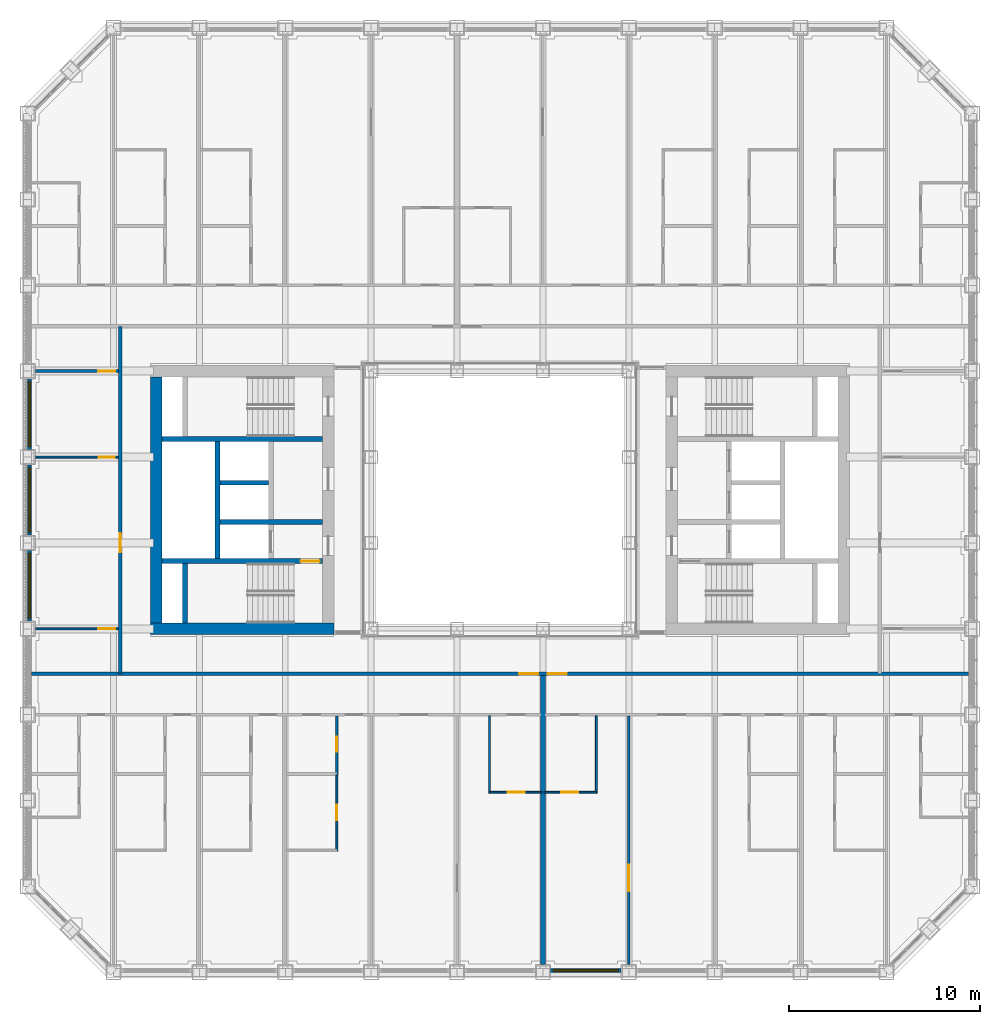
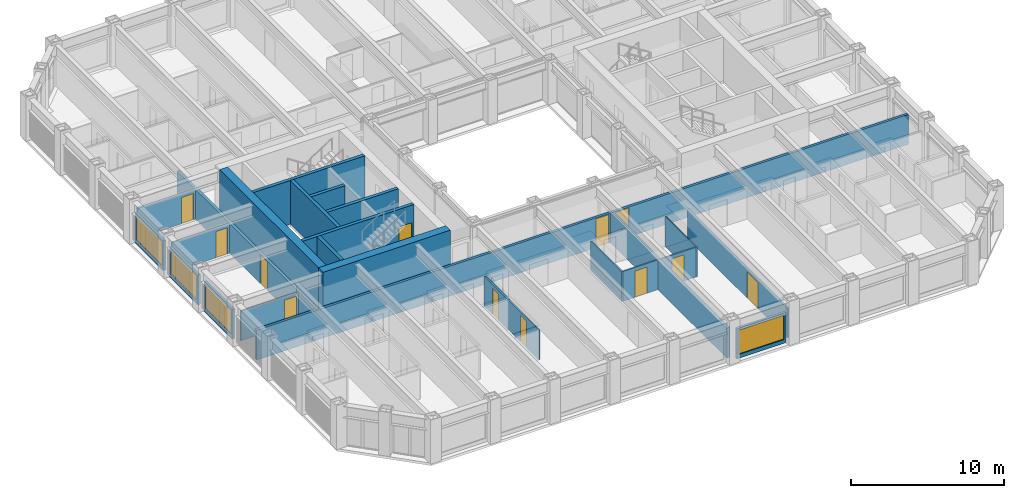
# One storey, part 10 of 21: 25 walls, 12 doors, 4 windows, 16 openings.
"""IFC4 building model written with IfcOpenShell, lengths in metres."""

from ifc_helpers import new_model, si_unit, direction, frame, frame_2d, origin, place, context, subcontext, project, spatial, rectangle, extrude, material, layer, layer_set, type_object, element, fill, save


model = new_model("IFC4")

# Units and contexts
model_context = context("Model", 3, precision=1e-05, world=origin(), true_north=direction((0.0, 1.0)))
body_context = subcontext(model_context, "Body", "Model", "MODEL_VIEW")
ifc_project = project(units=[si_unit("LENGTHUNIT", "METRE"), si_unit("AREAUNIT", "SQUARE_METRE"), si_unit("VOLUMEUNIT", "CUBIC_METRE"), si_unit("PLANEANGLEUNIT", "RADIAN"), si_unit("MASSUNIT", "GRAM", prefix="KILO")], contexts=[model_context])

# Site, building, storey
site_placement = place(None, origin())
site = spatial("IfcSite", under=ifc_project, at=site_placement, CompositionType="ELEMENT")
building_placement = place(site_placement, origin())
building = spatial("IfcBuilding", under=site, at=building_placement, Name="Msasa Ring Tower", CompositionType="ELEMENT")
storey_placement = place(building_placement, frame((0.0, 0.0, 79.0)))
storey = spatial("IfcBuildingStorey", under=building, at=storey_placement, Name="L20", CompositionType="ELEMENT", Elevation=79.0)

# Walls
ifc_material_1 = material(Name="Concrete C60/75", Category="concrete")
ifc_layer_1 = layer(ifc_material_1, 0.60009765625)
ifc_layer_set_1 = layer_set([ifc_layer_1], Name="CW1 CORE WALL 600")
wall_type_1 = type_object("IfcWallType", Name="CW1 CORE WALL 600", PredefinedType="SHEAR", material=ifc_layer_set_1)
wall_1_placement = place(storey_placement, frame((-8.699951171875, -6.75, 0.0), z_axis=(0.0, 0.0, 1.0), x_axis=(-1.0, 0.0, 0.0)))
element("IfcWall", 1, at=wall_1_placement, inside=storey, type_object=wall_type_1, Name="W core wall S L20", PredefinedType="SHEAR", context=body_context, shape_type="SweptSolid", body=[
    extrude(rectangle(XDim=9.60009765625, YDim=0.60009765625, at=frame_2d((4.800048828125, 0.0))), origin(), (0.0, 0.0, 1.0), 3.5),
])
wall_2_placement = place(storey_placement, frame((-18.0, -6.449951171875, 0.0), z_axis=(0.0, 0.0, 1.0), x_axis=(0.0, 1.0, 0.0)))
element("IfcWall", 2, at=wall_2_placement, inside=storey, type_object=wall_type_1, Name="W core wall E L20", PredefinedType="SHEAR", context=body_context, shape_type="SweptSolid", body=[
    extrude(rectangle(XDim=12.89990234375, YDim=0.60009765625, at=frame_2d((6.449951171875, 0.0))), origin(), (0.0, 0.0, 1.0), 3.5),
])

# Wall, opening, door
ifc_material_2 = material(Name="Concrete C60/75", Category="concrete")
ifc_layer_2 = layer(ifc_material_2, 0.25)
ifc_layer_set_2 = layer_set([ifc_layer_2], Name="CW4 CORE INNER WALL 250")
wall_type_2 = type_object("IfcWallType", Name="CW4 CORE INNER WALL 250", PredefinedType="SHEAR", material=ifc_layer_set_2)
wall_3_placement = place(storey_placement, frame((-9.300048828125, -3.199951171875, 0.0), z_axis=(0.0, 0.0, 1.0), x_axis=(-1.0, 0.0, 0.0)))
wall_3 = element("IfcWall", 3, at=wall_3_placement, inside=storey, type_object=wall_type_2, Name="W core wall STAIRA L20", PredefinedType="SHEAR", context=body_context, shape_type="SweptSolid", body=[
    extrude(rectangle(XDim=8.39990234375, YDim=0.25, at=frame_2d((4.199951171875, 0.0))), origin(), (0.0, 0.0, 1.0), 3.5),
])
opening_1_placement = place(wall_3_placement, frame((0.14990234375, 0.0, 0.0)))
opening_1 = element("IfcOpeningElement", 4, at=opening_1_placement, cuts=wall_3, Name="Opening RF-048", PredefinedType="OPENING", context=body_context, shape_type="SweptSolid", body=[
    extrude(rectangle(XDim=1.0, YDim=2.10009765625, at=frame_2d((0.5, 1.050048828125))), frame((0.0, 0.135009765625, 0.0), z_axis=(0.0, -1.0, 0.0), x_axis=(1.0, 0.0, 0.0)), (0.0, 0.0, 1.0), 0.27001953125),
])
ifc_material_3 = material(Name="Timber door leaf in a steel frame", Category="steel")
door_type_1 = type_object("IfcDoorType", Name="D6 STAIR DOOR 1000x2100", OperationType="SINGLE_SWING_LEFT", PredefinedType="DOOR", material=ifc_material_3)
door_1_placement = place(opening_1_placement, origin())
door_1 = element("IfcDoor", 5, at=door_1_placement, inside=storey, type_object=door_type_1, Name="Door L20-WSTA", OperationType="SINGLE_SWING_LEFT", OverallHeight=2.10009765625, OverallWidth=1.0, PredefinedType="DOOR", context=body_context, shape_type="SweptSolid", body=[
    extrude(rectangle(XDim=1.0, YDim=2.10009765625, at=frame_2d((0.5, 1.050048828125))), frame((0.0, 0.02490234375, 0.0), z_axis=(0.0, -1.0, 0.0), x_axis=(1.0, 0.0, 0.0)), (0.0, 0.0, 1.0), 0.050048828125),
])
fill(opening_1, door_1)

# Walls
wall_4_placement = place(storey_placement, frame((-9.300048828125, 3.199951171875, 0.0), z_axis=(0.0, 0.0, 1.0), x_axis=(-1.0, 0.0, 0.0)))
element("IfcWall", 6, at=wall_4_placement, inside=storey, type_object=wall_type_2, Name="W core wall STAIRB L20", PredefinedType="SHEAR", context=body_context, shape_type="SweptSolid", body=[
    extrude(rectangle(XDim=8.39990234375, YDim=0.25, at=frame_2d((4.199951171875, 0.0))), origin(), (0.0, 0.0, 1.0), 3.5),
])
wall_5_placement = place(storey_placement, frame((-16.5, -6.449951171875, 0.0), z_axis=(0.0, 0.0, 1.0), x_axis=(0.0, 1.0, 0.0)))
element("IfcWall", 7, at=wall_5_placement, inside=storey, type_object=wall_type_2, Name="W core wall RISERA L20", PredefinedType="SHEAR", context=body_context, shape_type="SweptSolid", body=[
    extrude(rectangle(XDim=3.125, YDim=0.25, at=frame_2d((1.5625, 0.0))), origin(), (0.0, 0.0, 1.0), 3.5),
])
wall_6_placement = place(storey_placement, frame((-9.300048828125, -1.14990234375, 0.0), z_axis=(0.0, 0.0, 1.0), x_axis=(-1.0, 0.0, 0.0)))
element("IfcWall", 8, at=wall_6_placement, inside=storey, type_object=wall_type_2, Name="W core wall FFL L20", PredefinedType="SHEAR", context=body_context, shape_type="SweptSolid", body=[
    extrude(rectangle(XDim=5.375, YDim=0.25, at=frame_2d((2.6875, 0.0))), origin(), (0.0, 0.0, 1.0), 3.5),
])
wall_7_placement = place(storey_placement, frame((-14.800048828125, -3.074951171875, 0.0), z_axis=(0.0, 0.0, 1.0), x_axis=(0.0, 1.0, 0.0)))
element("IfcWall", 9, at=wall_7_placement, inside=storey, type_object=wall_type_2, Name="W core wall SHAFT L20", PredefinedType="SHEAR", context=body_context, shape_type="SweptSolid", body=[
    extrude(rectangle(XDim=6.14990234375, YDim=0.25, at=frame_2d((3.074951171875, 0.0))), origin(), (0.0, 0.0, 1.0), 3.5),
])
wall_8_placement = place(storey_placement, frame((-12.125, 0.89990234375, 0.0), z_axis=(0.0, 0.0, 1.0), x_axis=(-1.0, 0.0, 0.0)))
element("IfcWall", 10, at=wall_8_placement, inside=storey, type_object=wall_type_2, Name="W core wall LIFT1 L20", PredefinedType="SHEAR", context=body_context, shape_type="SweptSolid", body=[
    extrude(rectangle(XDim=2.550048828125, YDim=0.25, at=frame_2d((1.27490234375, 0.0))), origin(), (0.0, 0.0, 1.0), 3.5),
])

# Wall, opening, window
ifc_material_4 = material(Name="Terracotta rainscreen on blockwork", Category="masonry")
ifc_layer_3 = layer(ifc_material_4, 0.199951171875)
ifc_layer_set_3 = layer_set([ifc_layer_3], Name="FW1 TERRACOTTA-LINED INFILL BAY WALL 200")
wall_type_3 = type_object("IfcWallType", Name="FW1 TERRACOTTA-LINED INFILL BAY WALL 200", PredefinedType="SOLIDWALL", material=ifc_layer_set_3)
wall_9_placement = place(storey_placement, frame((2.655029296875, -24.64990234375, 0.0), z_axis=(0.0, 0.0, 1.0), x_axis=(1.0, 0.0, 0.0)))
wall_9 = element("IfcWall", 11, at=wall_9_placement, inside=storey, type_object=wall_type_3, Name="Infill bay wall S L20 05", PredefinedType="SOLIDWALL", context=body_context, shape_type="SweptSolid", body=[
    extrude(rectangle(XDim=3.68994140625, YDim=0.199951171875, at=frame_2d((1.844970703125, 0.0))), origin(), (0.0, 0.0, 1.0), 2.37890625),
])
opening_2_placement = place(wall_9_placement, frame((0.14501953125, 0.0, 0.300048828125)))
opening_2 = element("IfcOpeningElement", 12, at=opening_2_placement, cuts=wall_9, Name="Opening WN1", PredefinedType="OPENING", context=body_context, shape_type="SweptSolid", body=[
    extrude(rectangle(XDim=3.39990234375, YDim=1.928955078125, at=frame_2d((1.699951171875, 0.96435546875))), frame((0.0, 0.10986328125, 0.0), z_axis=(0.0, -1.0, 0.0), x_axis=(1.0, 0.0, 0.0)), (0.0, 0.0, 1.0), 0.219970703125),
])
ifc_material_5 = material(Name="Aluminium frame with clear glass", Category="aluminium")
window_type = type_object("IfcWindowType", Name="WN1 RESIDENCE WINDOW 3400x1929", PartitioningType="SINGLE_PANEL", PredefinedType="WINDOW", material=ifc_material_5)
window_1_placement = place(opening_2_placement, origin())
window_1 = element("IfcWindow", 13, at=window_1_placement, inside=storey, type_object=window_type, Name="Window S L20 05", OverallHeight=1.928955078125, OverallWidth=3.39990234375, PartitioningType="SINGLE_PANEL", PredefinedType="WINDOW", context=body_context, shape_type="SweptSolid", body=[
    extrude(rectangle(XDim=3.39990234375, YDim=1.928955078125, at=frame_2d((1.699951171875, 0.96435546875))), frame((0.0, 0.030029296875, 0.0), z_axis=(0.0, -1.0, 0.0), x_axis=(1.0, 0.0, 0.0)), (0.0, 0.0, 1.0), 0.06005859375),
])
fill(opening_2, window_1)

wall_10_placement = place(storey_placement, frame((-24.64990234375, -6.344970703125, 0.0), z_axis=(0.0, 0.0, 1.0), x_axis=(0.0, 1.0, 0.0)))
wall_10 = element("IfcWall", 14, at=wall_10_placement, inside=storey, type_object=wall_type_3, Name="Infill bay wall W L20 36", PredefinedType="SOLIDWALL", context=body_context, shape_type="SweptSolid", body=[
    extrude(rectangle(XDim=3.68994140625, YDim=0.199951171875, at=frame_2d((1.844970703125, 0.0))), origin(), (0.0, 0.0, 1.0), 2.37890625),
])
opening_3_placement = place(wall_10_placement, frame((0.14501953125, 0.0, 0.300048828125)))
opening_3 = element("IfcOpeningElement", 15, at=opening_3_placement, cuts=wall_10, Name="Opening WN1", PredefinedType="OPENING", context=body_context, shape_type="SweptSolid", body=[
    extrude(rectangle(XDim=3.39990234375, YDim=1.928955078125, at=frame_2d((1.699951171875, 0.96435546875))), frame((0.0, 0.10986328125, 0.0), z_axis=(0.0, -1.0, 0.0), x_axis=(1.0, 0.0, 0.0)), (0.0, 0.0, 1.0), 0.219970703125),
])
window_2_placement = place(opening_3_placement, origin())
window_2 = element("IfcWindow", 16, at=window_2_placement, inside=storey, type_object=window_type, Name="Window W L20 36", OverallHeight=1.928955078125, OverallWidth=3.39990234375, PartitioningType="SINGLE_PANEL", PredefinedType="WINDOW", context=body_context, shape_type="SweptSolid", body=[
    extrude(rectangle(XDim=3.39990234375, YDim=1.928955078125, at=frame_2d((1.699951171875, 0.96435546875))), frame((0.0, 0.030029296875, 0.0), z_axis=(0.0, -1.0, 0.0), x_axis=(1.0, 0.0, 0.0)), (0.0, 0.0, 1.0), 0.06005859375),
])
fill(opening_3, window_2)

wall_11_placement = place(storey_placement, frame((-24.64990234375, -1.844970703125, 0.0), z_axis=(0.0, 0.0, 1.0), x_axis=(0.0, 1.0, 0.0)))
wall_11 = element("IfcWall", 17, at=wall_11_placement, inside=storey, type_object=wall_type_3, Name="Infill bay wall W L20 37", PredefinedType="SOLIDWALL", context=body_context, shape_type="SweptSolid", body=[
    extrude(rectangle(XDim=3.68994140625, YDim=0.199951171875, at=frame_2d((1.844970703125, 0.0))), origin(), (0.0, 0.0, 1.0), 2.37890625),
])
opening_4_placement = place(wall_11_placement, frame((0.14501953125, 0.0, 0.300048828125)))
opening_4 = element("IfcOpeningElement", 18, at=opening_4_placement, cuts=wall_11, Name="Opening WN1", PredefinedType="OPENING", context=body_context, shape_type="SweptSolid", body=[
    extrude(rectangle(XDim=3.39990234375, YDim=1.928955078125, at=frame_2d((1.699951171875, 0.96435546875))), frame((0.0, 0.10986328125, 0.0), z_axis=(0.0, -1.0, 0.0), x_axis=(1.0, 0.0, 0.0)), (0.0, 0.0, 1.0), 0.219970703125),
])
window_3_placement = place(opening_4_placement, origin())
window_3 = element("IfcWindow", 19, at=window_3_placement, inside=storey, type_object=window_type, Name="Window W L20 37", OverallHeight=1.928955078125, OverallWidth=3.39990234375, PartitioningType="SINGLE_PANEL", PredefinedType="WINDOW", context=body_context, shape_type="SweptSolid", body=[
    extrude(rectangle(XDim=3.39990234375, YDim=1.928955078125, at=frame_2d((1.699951171875, 0.96435546875))), frame((0.0, 0.030029296875, 0.0), z_axis=(0.0, -1.0, 0.0), x_axis=(1.0, 0.0, 0.0)), (0.0, 0.0, 1.0), 0.06005859375),
])
fill(opening_4, window_3)

wall_12_placement = place(storey_placement, frame((-24.64990234375, 2.655029296875, 0.0), z_axis=(0.0, 0.0, 1.0), x_axis=(0.0, 1.0, 0.0)))
wall_12 = element("IfcWall", 20, at=wall_12_placement, inside=storey, type_object=wall_type_3, Name="Infill bay wall W L20 38", PredefinedType="SOLIDWALL", context=body_context, shape_type="SweptSolid", body=[
    extrude(rectangle(XDim=3.68994140625, YDim=0.199951171875, at=frame_2d((1.844970703125, 0.0))), origin(), (0.0, 0.0, 1.0), 2.37890625),
])
opening_5_placement = place(wall_12_placement, frame((0.14501953125, 0.0, 0.300048828125)))
opening_5 = element("IfcOpeningElement", 21, at=opening_5_placement, cuts=wall_12, Name="Opening WN1", PredefinedType="OPENING", context=body_context, shape_type="SweptSolid", body=[
    extrude(rectangle(XDim=3.39990234375, YDim=1.928955078125, at=frame_2d((1.699951171875, 0.96435546875))), frame((0.0, 0.10986328125, 0.0), z_axis=(0.0, -1.0, 0.0), x_axis=(1.0, 0.0, 0.0)), (0.0, 0.0, 1.0), 0.219970703125),
])
window_4_placement = place(opening_5_placement, origin())
window_4 = element("IfcWindow", 22, at=window_4_placement, inside=storey, type_object=window_type, Name="Window W L20 38", OverallHeight=1.928955078125, OverallWidth=3.39990234375, PartitioningType="SINGLE_PANEL", PredefinedType="WINDOW", context=body_context, shape_type="SweptSolid", body=[
    extrude(rectangle(XDim=3.39990234375, YDim=1.928955078125, at=frame_2d((1.699951171875, 0.96435546875))), frame((0.0, 0.030029296875, 0.0), z_axis=(0.0, -1.0, 0.0), x_axis=(1.0, 0.0, 0.0)), (0.0, 0.0, 1.0), 0.06005859375),
])
fill(opening_5, window_4)

# Wall, openings, doors
ifc_material_6 = material(Name="Concrete blockwork", Category="masonry")
ifc_layer_4 = layer(ifc_material_6, 0.199951171875)
ifc_layer_set_4 = layer_set([ifc_layer_4], Name="PT1 CORRIDOR WALL 200")
wall_type_4 = type_object("IfcWallType", Name="PT1 CORRIDOR WALL 200", PredefinedType="PARTITIONING", material=ifc_layer_set_4)
wall_13_placement = place(storey_placement, frame((-24.550048828125, -9.10009765625, 0.0), z_axis=(0.0, 0.0, 1.0), x_axis=(1.0, 0.0, 0.0)))
wall_13 = element("IfcWall", 23, at=wall_13_placement, inside=storey, type_object=wall_type_4, Name="Corridor wall L20-CORRS0", PredefinedType="PARTITIONING", context=body_context, shape_type="SweptSolid", body=[
    extrude(rectangle(XDim=49.10009765625, YDim=0.199951171875, at=frame_2d((24.550048828125, 0.0))), origin(), (0.0, 0.0, 1.0), 2.373291015625),
])
opening_6_placement = place(wall_13_placement, frame((25.550048828125, 0.0, 0.0)))
opening_6 = element("IfcOpeningElement", 24, at=opening_6_placement, cuts=wall_13, Name="Opening RF-054", PredefinedType="OPENING", context=body_context, shape_type="SweptSolid", body=[
    extrude(rectangle(XDim=1.0, YDim=2.300048828125, at=frame_2d((0.5, 1.14990234375))), frame((0.0, 0.10986328125, 0.0), z_axis=(0.0, -1.0, 0.0), x_axis=(1.0, 0.0, 0.0)), (0.0, 0.0, 1.0), 0.219970703125),
])
opening_7_placement = place(wall_13_placement, frame((27.050048828125, 0.0, 0.0)))
opening_7 = element("IfcOpeningElement", 25, at=opening_7_placement, cuts=wall_13, Name="Opening RF-055", PredefinedType="OPENING", context=body_context, shape_type="SweptSolid", body=[
    extrude(rectangle(XDim=1.0, YDim=2.300048828125, at=frame_2d((0.5, 1.14990234375))), frame((0.0, 0.10986328125, 0.0), z_axis=(0.0, -1.0, 0.0), x_axis=(1.0, 0.0, 0.0)), (0.0, 0.0, 1.0), 0.219970703125),
])
ifc_material_7 = material(Name="Timber door leaf in a steel frame", Category="steel")
door_type_2 = type_object("IfcDoorType", Name="D16 UPPER RESIDENCE ENTRANCE DOOR 1000x2300", OperationType="SINGLE_SWING_LEFT", PredefinedType="DOOR", material=ifc_material_7)
door_2_placement = place(opening_6_placement, origin())
door_2 = element("IfcDoor", 26, at=door_2_placement, inside=storey, type_object=door_type_2, Name="Door L20-VSW", OperationType="SINGLE_SWING_RIGHT", OverallHeight=2.300048828125, OverallWidth=1.0, PredefinedType="DOOR", context=body_context, shape_type="SweptSolid", body=[
    extrude(rectangle(XDim=1.0, YDim=2.300048828125, at=frame_2d((0.5, 1.14990234375))), frame((0.0, 0.02490234375, 0.0), z_axis=(0.0, -1.0, 0.0), x_axis=(1.0, 0.0, 0.0)), (0.0, 0.0, 1.0), 0.050048828125),
])
fill(opening_6, door_2)
door_3_placement = place(opening_7_placement, origin())
door_3 = element("IfcDoor", 27, at=door_3_placement, inside=storey, type_object=door_type_2, Name="Door L20-VSE", OperationType="SINGLE_SWING_RIGHT", OverallHeight=2.300048828125, OverallWidth=1.0, PredefinedType="DOOR", context=body_context, shape_type="SweptSolid", body=[
    extrude(rectangle(XDim=1.0, YDim=2.300048828125, at=frame_2d((0.5, 1.14990234375))), frame((0.0, 0.02490234375, 0.0), z_axis=(0.0, -1.0, 0.0), x_axis=(1.0, 0.0, 0.0)), (0.0, 0.0, 1.0), 0.050048828125),
])
fill(opening_7, door_3)

# Wall, opening, door
wall_14_placement = place(storey_placement, frame((-19.89990234375, -9.10009765625, 0.0), z_axis=(0.0, 0.0, 1.0), x_axis=(0.0, 1.0, 0.0)))
wall_14 = element("IfcWall", 28, at=wall_14_placement, inside=storey, type_object=wall_type_4, Name="Corridor wall L20-STRW", PredefinedType="PARTITIONING", context=body_context, shape_type="SweptSolid", body=[
    extrude(rectangle(XDim=18.2001953125, YDim=0.199951171875, at=frame_2d((9.10009765625, 0.0))), origin(), (0.0, 0.0, 1.0), 2.373291015625),
])
opening_8_placement = place(wall_14_placement, frame((6.35009765625, 0.0, 0.0)))
opening_8 = element("IfcOpeningElement", 29, at=opening_8_placement, cuts=wall_14, Name="Opening RF-044", PredefinedType="OPENING", context=body_context, shape_type="SweptSolid", body=[
    extrude(rectangle(XDim=1.0, YDim=2.300048828125, at=frame_2d((0.5, 1.14990234375))), frame((0.0, 0.10986328125, 0.0), z_axis=(0.0, -1.0, 0.0), x_axis=(1.0, 0.0, 0.0)), (0.0, 0.0, 1.0), 0.219970703125),
])
door_4_placement = place(opening_8_placement, origin())
door_4 = element("IfcDoor", 30, at=door_4_placement, inside=storey, type_object=door_type_2, Name="Door L20-STW", OperationType="SINGLE_SWING_LEFT", OverallHeight=2.300048828125, OverallWidth=1.0, PredefinedType="DOOR", context=body_context, shape_type="SweptSolid", body=[
    extrude(rectangle(XDim=1.0, YDim=2.300048828125, at=frame_2d((0.5, 1.14990234375))), frame((0.0, 0.02490234375, 0.0), z_axis=(0.0, -1.0, 0.0), x_axis=(1.0, 0.0, 0.0)), (0.0, 0.0, 1.0), 0.050048828125),
])
fill(opening_8, door_4)

# Wall
ifc_material_8 = material(Name="Gypsum board on steel studs", Category="steel")
ifc_layer_5 = layer(ifc_material_8, 0.10009765625)
ifc_layer_set_5 = layer_set([ifc_layer_5], Name="PT2 STUD PARTITION 100")
wall_type_5 = type_object("IfcWallType", Name="PT2 STUD PARTITION 100", PredefinedType="PARTITIONING", material=ifc_layer_set_5)
wall_15_placement = place(storey_placement, frame((-0.550048828125, -15.362548828125, 0.0), z_axis=(0.0, 0.0, 1.0), x_axis=(0.0, 1.0, 0.0)))
element("IfcWall", 31, at=wall_15_placement, inside=storey, type_object=wall_type_5, Name="Partition L20-VSWKX", PredefinedType="PARTITIONING", context=body_context, shape_type="SweptSolid", body=[
    extrude(rectangle(XDim=4.050048828125, YDim=0.10009765625, at=frame_2d((2.02490234375, 0.0))), origin(), (0.0, 0.0, 1.0), 2.373291015625),
])

# Wall, opening, door
wall_16_placement = place(storey_placement, frame((-0.550048828125, -15.3125, 0.0), z_axis=(0.0, 0.0, 1.0), x_axis=(1.0, 0.0, 0.0)))
wall_16 = element("IfcWall", 32, at=wall_16_placement, inside=storey, type_object=wall_type_5, Name="Partition L20-VSWKY", PredefinedType="PARTITIONING", context=body_context, shape_type="SweptSolid", body=[
    extrude(rectangle(XDim=2.732666015625, YDim=0.10009765625, at=frame_2d((1.3662109375, 0.0))), origin(), (0.0, 0.0, 1.0), 2.373291015625),
])
opening_9_placement = place(wall_16_placement, frame((0.949951171875, 0.0, 0.0)))
opening_9 = element("IfcOpeningElement", 33, at=opening_9_placement, cuts=wall_16, Name="Opening RF-076", PredefinedType="OPENING", context=body_context, shape_type="SweptSolid", body=[
    extrude(rectangle(XDim=0.89990234375, YDim=2.10009765625, at=frame_2d((0.449951171875, 1.050048828125))), frame((0.0, 0.06005859375, 0.0), z_axis=(0.0, -1.0, 0.0), x_axis=(1.0, 0.0, 0.0)), (0.0, 0.0, 1.0), 0.1201171875),
])
ifc_material_9 = material(Name="Timber door leaf in a steel frame", Category="steel")
door_type_3 = type_object("IfcDoorType", Name="D22 INTERNAL HALL DOOR 900x2100", OperationType="SINGLE_SWING_LEFT", PredefinedType="DOOR", material=ifc_material_9)
door_5_placement = place(opening_9_placement, origin())
door_5 = element("IfcDoor", 34, at=door_5_placement, inside=storey, type_object=door_type_3, Name="Door L20-VSWKD", OperationType="SINGLE_SWING_RIGHT", OverallHeight=2.10009765625, OverallWidth=0.89990234375, PredefinedType="DOOR", context=body_context, shape_type="SweptSolid", body=[
    extrude(rectangle(XDim=0.89990234375, YDim=2.10009765625, at=frame_2d((0.449951171875, 1.050048828125))), frame((0.0, 0.02490234375, 0.0), z_axis=(0.0, -1.0, 0.0), x_axis=(1.0, 0.0, 0.0)), (0.0, 0.0, 1.0), 0.050048828125),
])
fill(opening_9, door_5)

wall_17_placement = place(storey_placement, frame((-8.550048828125, -18.403076171875, 0.0), z_axis=(0.0, 0.0, 1.0), x_axis=(0.0, 1.0, 0.0)))
wall_17 = element("IfcWall", 35, at=wall_17_placement, inside=storey, type_object=wall_type_5, Name="Partition L20-VSWWX1", PredefinedType="PARTITIONING", context=body_context, shape_type="SweptSolid", body=[
    extrude(rectangle(XDim=4.003173828125, YDim=0.10009765625, at=frame_2d((2.00146484375, 0.0))), origin(), (0.0, 0.0, 1.0), 2.373291015625),
])
opening_10_placement = place(wall_17_placement, frame((1.626708984375, 0.0, 0.0)))
opening_10 = element("IfcOpeningElement", 36, at=opening_10_placement, cuts=wall_17, Name="Opening RF-082", PredefinedType="OPENING", context=body_context, shape_type="SweptSolid", body=[
    extrude(rectangle(XDim=0.800048828125, YDim=2.10009765625, at=frame_2d((0.39990234375, 1.050048828125))), frame((0.0, 0.06005859375, 0.0), z_axis=(0.0, -1.0, 0.0), x_axis=(1.0, 0.0, 0.0)), (0.0, 0.0, 1.0), 0.1201171875),
])
ifc_material_10 = material(Name="Timber door leaf in a steel frame", Category="steel")
door_type_4 = type_object("IfcDoorType", Name="D60 DRESSING ROOM DOOR 800x2100", OperationType="SINGLE_SWING_LEFT", PredefinedType="DOOR", material=ifc_material_10)
door_6_placement = place(opening_10_placement, origin())
door_6 = element("IfcDoor", 37, at=door_6_placement, inside=storey, type_object=door_type_4, Name="Door L20-VSWW1", OperationType="SINGLE_SWING_LEFT", OverallHeight=2.10009765625, OverallWidth=0.800048828125, PredefinedType="DOOR", context=body_context, shape_type="SweptSolid", body=[
    extrude(rectangle(XDim=0.800048828125, YDim=2.10009765625, at=frame_2d((0.39990234375, 1.050048828125))), frame((0.0, 0.02490234375, 0.0), z_axis=(0.0, -1.0, 0.0), x_axis=(1.0, 0.0, 0.0)), (0.0, 0.0, 1.0), 0.050048828125),
])
fill(opening_10, door_6)

# Wall
wall_18_placement = place(storey_placement, frame((5.050048828125, -15.362548828125, 0.0), z_axis=(0.0, 0.0, 1.0), x_axis=(0.0, 1.0, 0.0)))
element("IfcWall", 38, at=wall_18_placement, inside=storey, type_object=wall_type_5, Name="Partition L20-VSEKX", PredefinedType="PARTITIONING", context=body_context, shape_type="SweptSolid", body=[
    extrude(rectangle(XDim=4.050048828125, YDim=0.10009765625, at=frame_2d((2.02490234375, 0.0))), origin(), (0.0, 0.0, 1.0), 2.373291015625),
])

# Wall, opening, door
wall_19_placement = place(storey_placement, frame((2.3173828125, -15.3125, 0.0), z_axis=(0.0, 0.0, 1.0), x_axis=(1.0, 0.0, 0.0)))
wall_19 = element("IfcWall", 39, at=wall_19_placement, inside=storey, type_object=wall_type_5, Name="Partition L20-VSEKY", PredefinedType="PARTITIONING", context=body_context, shape_type="SweptSolid", body=[
    extrude(rectangle(XDim=2.732666015625, YDim=0.10009765625, at=frame_2d((1.3662109375, 0.0))), origin(), (0.0, 0.0, 1.0), 2.373291015625),
])
opening_11_placement = place(wall_19_placement, frame((0.882568359375, 0.0, 0.0)))
opening_11 = element("IfcOpeningElement", 40, at=opening_11_placement, cuts=wall_19, Name="Opening RF-077", PredefinedType="OPENING", context=body_context, shape_type="SweptSolid", body=[
    extrude(rectangle(XDim=0.89990234375, YDim=2.10009765625, at=frame_2d((0.449951171875, 1.050048828125))), frame((0.0, 0.06005859375, 0.0), z_axis=(0.0, -1.0, 0.0), x_axis=(1.0, 0.0, 0.0)), (0.0, 0.0, 1.0), 0.1201171875),
])
door_7_placement = place(opening_11_placement, origin())
door_7 = element("IfcDoor", 41, at=door_7_placement, inside=storey, type_object=door_type_3, Name="Door L20-VSEKD", OperationType="SINGLE_SWING_LEFT", OverallHeight=2.10009765625, OverallWidth=0.89990234375, PredefinedType="DOOR", context=body_context, shape_type="SweptSolid", body=[
    extrude(rectangle(XDim=0.89990234375, YDim=2.10009765625, at=frame_2d((0.449951171875, 1.050048828125))), frame((0.0, 0.02490234375, 0.0), z_axis=(0.0, -1.0, 0.0), x_axis=(1.0, 0.0, 0.0)), (0.0, 0.0, 1.0), 0.050048828125),
])
fill(opening_11, door_7)

wall_20_placement = place(storey_placement, frame((-24.35009765625, -6.75, 0.0), z_axis=(0.0, 0.0, 1.0), x_axis=(1.0, 0.0, 0.0)))
wall_20 = element("IfcWall", 42, at=wall_20_placement, inside=storey, type_object=wall_type_5, Name="Partition L20-STWKY", PredefinedType="PARTITIONING", context=body_context, shape_type="SweptSolid", body=[
    extrude(rectangle(XDim=4.35009765625, YDim=0.10009765625, at=frame_2d((2.175048828125, 0.0))), origin(), (0.0, 0.0, 1.0), 2.373291015625),
])
opening_12_placement = place(wall_20_placement, frame((3.300048828125, 0.0, 0.0)))
opening_12 = element("IfcOpeningElement", 43, at=opening_12_placement, cuts=wall_20, Name="Opening RF-050", PredefinedType="OPENING", context=body_context, shape_type="SweptSolid", body=[
    extrude(rectangle(XDim=0.89990234375, YDim=2.10009765625, at=frame_2d((0.449951171875, 1.050048828125))), frame((0.0, 0.06005859375, 0.0), z_axis=(0.0, -1.0, 0.0), x_axis=(1.0, 0.0, 0.0)), (0.0, 0.0, 1.0), 0.1201171875),
])
door_8_placement = place(opening_12_placement, origin())
door_8 = element("IfcDoor", 44, at=door_8_placement, inside=storey, type_object=door_type_3, Name="Door L20-STWK", OperationType="SINGLE_SWING_RIGHT", OverallHeight=2.10009765625, OverallWidth=0.89990234375, PredefinedType="DOOR", context=body_context, shape_type="SweptSolid", body=[
    extrude(rectangle(XDim=0.89990234375, YDim=2.10009765625, at=frame_2d((0.449951171875, 1.050048828125))), frame((0.0, 0.02490234375, 0.0), z_axis=(0.0, -1.0, 0.0), x_axis=(1.0, 0.0, 0.0)), (0.0, 0.0, 1.0), 0.050048828125),
])
fill(opening_12, door_8)

wall_21_placement = place(storey_placement, frame((-24.35009765625, 2.25, 0.0), z_axis=(0.0, 0.0, 1.0), x_axis=(1.0, 0.0, 0.0)))
wall_21 = element("IfcWall", 45, at=wall_21_placement, inside=storey, type_object=wall_type_5, Name="Partition L20-STWRY", PredefinedType="PARTITIONING", context=body_context, shape_type="SweptSolid", body=[
    extrude(rectangle(XDim=4.35009765625, YDim=0.10009765625, at=frame_2d((2.175048828125, 0.0))), origin(), (0.0, 0.0, 1.0), 2.373291015625),
])
opening_13_placement = place(wall_21_placement, frame((3.324951171875, 0.0, 0.0)))
opening_13 = element("IfcOpeningElement", 46, at=opening_13_placement, cuts=wall_21, Name="Opening RF-040", PredefinedType="OPENING", context=body_context, shape_type="SweptSolid", body=[
    extrude(rectangle(XDim=0.85009765625, YDim=2.10009765625, at=frame_2d((0.425048828125, 1.050048828125))), frame((0.0, 0.06005859375, 0.0), z_axis=(0.0, -1.0, 0.0), x_axis=(1.0, 0.0, 0.0)), (0.0, 0.0, 1.0), 0.1201171875),
])
ifc_material_11 = material(Name="Timber door leaf in a steel frame", Category="steel")
door_type_5 = type_object("IfcDoorType", Name="D14 BEDROOM DOOR 850x2100", OperationType="SINGLE_SWING_LEFT", PredefinedType="DOOR", material=ifc_material_11)
door_9_placement = place(opening_13_placement, origin())
door_9 = element("IfcDoor", 47, at=door_9_placement, inside=storey, type_object=door_type_5, Name="Door L20-STWR", OperationType="SINGLE_SWING_RIGHT", OverallHeight=2.10009765625, OverallWidth=0.85009765625, PredefinedType="DOOR", context=body_context, shape_type="SweptSolid", body=[
    extrude(rectangle(XDim=0.85009765625, YDim=2.10009765625, at=frame_2d((0.425048828125, 1.050048828125))), frame((0.0, 0.02490234375, 0.0), z_axis=(0.0, -1.0, 0.0), x_axis=(1.0, 0.0, 0.0)), (0.0, 0.0, 1.0), 0.050048828125),
])
fill(opening_13, door_9)

# Wall
ifc_material_12 = material(Name="Dense concrete blockwork, plastered both faces", Category="masonry")
ifc_layer_6 = layer(ifc_material_12, 0.25)
ifc_layer_set_6 = layer_set([ifc_layer_6], Name="PT3 APARTMENT SEPARATING WALL 250")
wall_type_6 = type_object("IfcWallType", Name="PT3 APARTMENT SEPARATING WALL 250", PredefinedType="PARTITIONING", material=ifc_layer_set_6)
wall_22_placement = place(storey_placement, frame((2.25, -24.35009765625, 0.0), z_axis=(0.0, 0.0, 1.0), x_axis=(0.0, 1.0, 0.0)))
element("IfcWall", 48, at=wall_22_placement, inside=storey, type_object=wall_type_6, Name="Party wall L20-PWS+2.25", PredefinedType="PARTITIONING", context=body_context, shape_type="SweptSolid", body=[
    extrude(rectangle(XDim=15.150146484375, YDim=0.25, at=frame_2d((7.5751953125, 0.0))), origin(), (0.0, 0.0, 1.0), 2.373291015625),
])

# Wall, opening, door
ifc_material_13 = material(Name="Moisture-resistant board on steel studs with a concealed cistern and pipe void, tiled", Category="steel")
ifc_layer_7 = layer(ifc_material_13, 0.14990234375)
ifc_layer_set_7 = layer_set([ifc_layer_7], Name="PT4 BATHROOM WET WALL 150")
wall_type_7 = type_object("IfcWallType", Name="PT4 BATHROOM WET WALL 150", PredefinedType="PARTITIONING", material=ifc_layer_set_7)
wall_23_placement = place(storey_placement, frame((-8.550048828125, -14.39990234375, 0.0), z_axis=(0.0, 0.0, 1.0), x_axis=(0.0, 1.0, 0.0)))
wall_23 = element("IfcWall", 49, at=wall_23_placement, inside=storey, type_object=wall_type_7, Name="Partition L20-VSWBX1", PredefinedType="PARTITIONING", context=body_context, shape_type="SweptSolid", body=[
    extrude(rectangle(XDim=3.08740234375, YDim=0.14990234375, at=frame_2d((1.543701171875, 0.0))), origin(), (0.0, 0.0, 1.0), 2.373291015625),
])
opening_14_placement = place(wall_23_placement, frame((1.199951171875, 0.0, 0.0)))
opening_14 = element("IfcOpeningElement", 50, at=opening_14_placement, cuts=wall_23, Name="Opening RF-072", PredefinedType="OPENING", context=body_context, shape_type="SweptSolid", body=[
    extrude(rectangle(XDim=0.800048828125, YDim=2.10009765625, at=frame_2d((0.39990234375, 1.050048828125))), frame((0.0, 0.0849609375, 0.0), z_axis=(0.0, -1.0, 0.0), x_axis=(1.0, 0.0, 0.0)), (0.0, 0.0, 1.0), 0.169921875),
])
ifc_material_14 = material(Name="Timber door leaf in a steel frame", Category="steel")
door_type_6 = type_object("IfcDoorType", Name="D21 POCKET SLIDING BATHROOM DOOR 800x2100", OperationType="SINGLE_SWING_LEFT", PredefinedType="DOOR", material=ifc_material_14)
door_10_placement = place(opening_14_placement, origin())
door_10 = element("IfcDoor", 51, at=door_10_placement, inside=storey, type_object=door_type_6, Name="Door L20-VSWB1", OperationType="SINGLE_SWING_RIGHT", OverallHeight=2.10009765625, OverallWidth=0.800048828125, PredefinedType="DOOR", context=body_context, shape_type="SweptSolid", body=[
    extrude(rectangle(XDim=0.800048828125, YDim=2.10009765625, at=frame_2d((0.39990234375, 1.050048828125))), frame((0.0, 0.02490234375, 0.0), z_axis=(0.0, -1.0, 0.0), x_axis=(1.0, 0.0, 0.0)), (0.0, 0.0, 1.0), 0.050048828125),
])
fill(opening_14, door_10)

wall_24_placement = place(storey_placement, frame((-24.35009765625, 6.75, 0.0), z_axis=(0.0, 0.0, 1.0), x_axis=(1.0, 0.0, 0.0)))
wall_24 = element("IfcWall", 52, at=wall_24_placement, inside=storey, type_object=wall_type_7, Name="Partition L20-STWBY", PredefinedType="PARTITIONING", context=body_context, shape_type="SweptSolid", body=[
    extrude(rectangle(XDim=4.35009765625, YDim=0.14990234375, at=frame_2d((2.175048828125, 0.0))), origin(), (0.0, 0.0, 1.0), 2.373291015625),
])
opening_15_placement = place(wall_24_placement, frame((3.300048828125, 0.0, 0.0)))
opening_15 = element("IfcOpeningElement", 53, at=opening_15_placement, cuts=wall_24, Name="Opening RF-036", PredefinedType="OPENING", context=body_context, shape_type="SweptSolid", body=[
    extrude(rectangle(XDim=0.89990234375, YDim=2.10009765625, at=frame_2d((0.449951171875, 1.050048828125))), frame((0.0, 0.0849609375, 0.0), z_axis=(0.0, -1.0, 0.0), x_axis=(1.0, 0.0, 0.0)), (0.0, 0.0, 1.0), 0.169921875),
])
ifc_material_15 = material(Name="Timber door leaf in a steel frame", Category="steel")
door_type_7 = type_object("IfcDoorType", Name="D3 BATHROOM DOOR 900x2100", OperationType="SINGLE_SWING_LEFT", PredefinedType="DOOR", material=ifc_material_15)
door_11_placement = place(opening_15_placement, origin())
door_11 = element("IfcDoor", 54, at=door_11_placement, inside=storey, type_object=door_type_7, Name="Door L20-STWB", OperationType="SINGLE_SWING_RIGHT", OverallHeight=2.10009765625, OverallWidth=0.89990234375, PredefinedType="DOOR", context=body_context, shape_type="SweptSolid", body=[
    extrude(rectangle(XDim=0.89990234375, YDim=2.10009765625, at=frame_2d((0.449951171875, 1.050048828125))), frame((0.0, 0.02490234375, 0.0), z_axis=(0.0, -1.0, 0.0), x_axis=(1.0, 0.0, 0.0)), (0.0, 0.0, 1.0), 0.050048828125),
])
fill(opening_15, door_11)

ifc_material_16 = material(Name="Two layers of acoustic board each face on steel studs, mineral wool", Category="steel")
ifc_layer_8 = layer(ifc_material_16, 0.125)
ifc_layer_set_8 = layer_set([ifc_layer_8], Name="PT6 ACOUSTIC DOUBLE-BOARD PARTITION 125")
wall_type_8 = type_object("IfcWallType", Name="PT6 ACOUSTIC DOUBLE-BOARD PARTITION 125", PredefinedType="PARTITIONING", material=ifc_layer_set_8)
wall_25_placement = place(storey_placement, frame((6.75, -24.35009765625, 0.0), z_axis=(0.0, 0.0, 1.0), x_axis=(0.0, 1.0, 0.0)))
wall_25 = element("IfcWall", 55, at=wall_25_placement, inside=storey, type_object=wall_type_8, Name="Partition L20-VSELM", PredefinedType="PARTITIONING", context=body_context, shape_type="SweptSolid", body=[
    extrude(rectangle(XDim=13.03759765625, YDim=0.125, at=frame_2d((6.518798828125, 0.0))), origin(), (0.0, 0.0, 1.0), 2.373291015625),
])
opening_16_placement = place(wall_25_placement, frame((3.84375, 0.0, 0.0)))
opening_16 = element("IfcOpeningElement", 56, at=opening_16_placement, cuts=wall_25, Name="Opening RF-086", PredefinedType="OPENING", context=body_context, shape_type="SweptSolid", body=[
    extrude(rectangle(XDim=1.39990234375, YDim=2.10009765625, at=frame_2d((0.699951171875, 1.050048828125))), frame((0.0, 0.072509765625, 0.0), z_axis=(0.0, -1.0, 0.0), x_axis=(1.0, 0.0, 0.0)), (0.0, 0.0, 1.0), 0.14501953125),
])
ifc_material_17 = material(Name="Timber door leaf in a steel frame", Category="steel")
door_type_8 = type_object("IfcDoorType", Name="D15 LIVING ROOM PAIR OF GLAZED DOORS 1400x2100", OperationType="SINGLE_SWING_LEFT", PredefinedType="DOOR", material=ifc_material_17)
door_12_placement = place(opening_16_placement, origin())
door_12 = element("IfcDoor", 57, at=door_12_placement, inside=storey, type_object=door_type_8, Name="Door L20-VSELD", OperationType="SINGLE_SWING_LEFT", OverallHeight=2.10009765625, OverallWidth=1.39990234375, PredefinedType="DOOR", context=body_context, shape_type="SweptSolid", body=[
    extrude(rectangle(XDim=1.39990234375, YDim=2.10009765625, at=frame_2d((0.699951171875, 1.050048828125))), frame((0.0, 0.02490234375, 0.0), z_axis=(0.0, -1.0, 0.0), x_axis=(1.0, 0.0, 0.0)), (0.0, 0.0, 1.0), 0.050048828125),
])
fill(opening_16, door_12)

save(model, "model.ifc")
